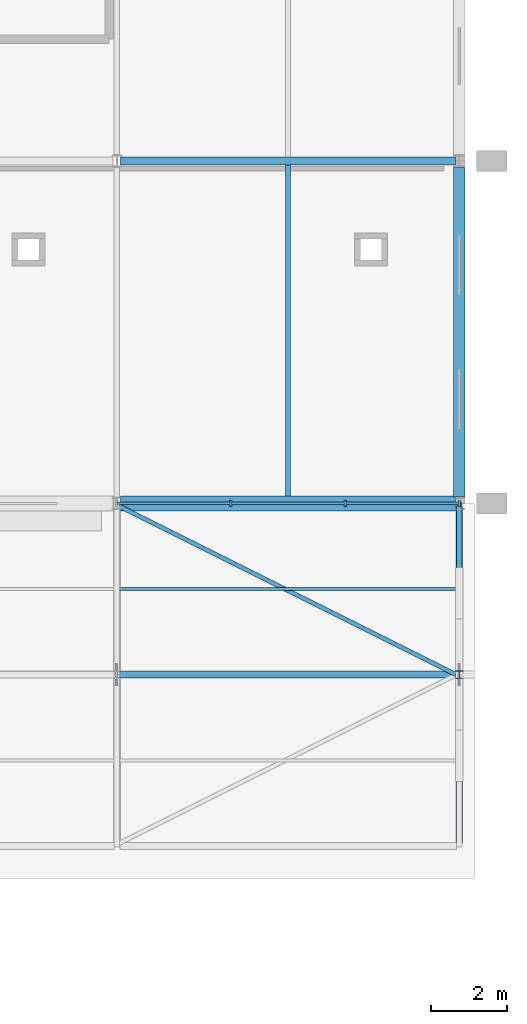
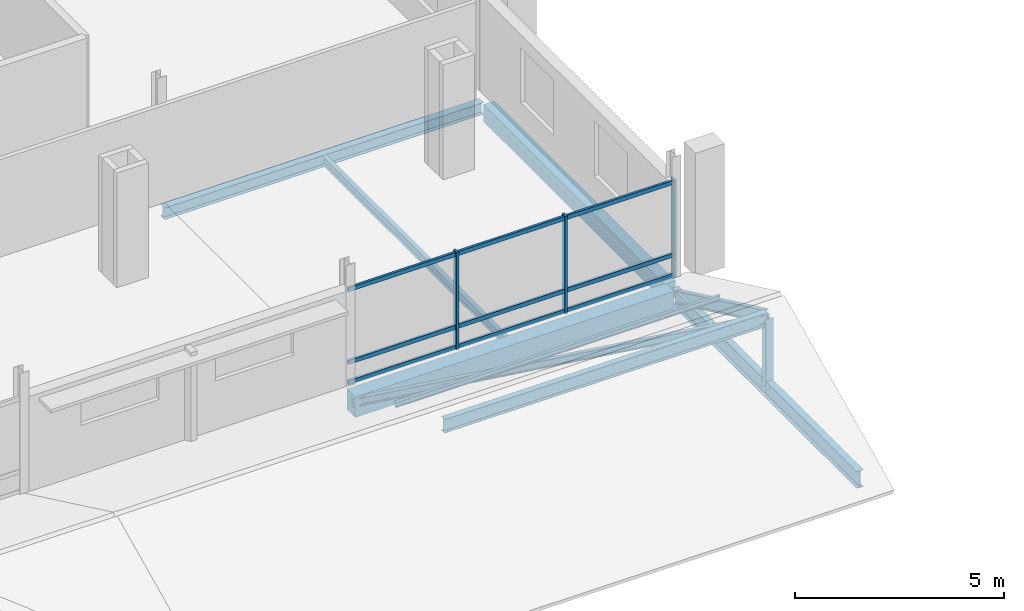
# One storey, part 81 of 132: 17 members, 5 beams, 1 element without a shape of its own.
"""IFC4 building model written with IfcOpenShell, lengths in metres."""

from ifc_helpers import new_model, si_unit, direction, frame, origin, origin_2d, place, context, subcontext, project, spatial, rectangle, i_section, extrude, material, material_profile, profile_set, type_object, element, aggregate, save


model = new_model("IFC4")

# Units and contexts
model_context = context("Model", 3, precision=1e-05, world=origin(), true_north=direction((0.0, 1.0)))
body_context = subcontext(model_context, "Body", "Model", "MODEL_VIEW")
ifc_project = project(units=[si_unit("LENGTHUNIT", "METRE"), si_unit("AREAUNIT", "SQUARE_METRE"), si_unit("VOLUMEUNIT", "CUBIC_METRE"), si_unit("PLANEANGLEUNIT", "RADIAN"), si_unit("MASSUNIT", "GRAM", prefix="KILO")], contexts=[model_context])

# Site, building, storey
site_placement = place(None, origin())
site = spatial("IfcSite", under=ifc_project, at=site_placement, CompositionType="ELEMENT")
building_placement = place(site_placement, origin())
building = spatial("IfcBuilding", under=site, at=building_placement, Name="Tharagai Park Tramway Depot", CompositionType="ELEMENT")
storey_placement = place(building_placement, frame((0.0, 0.0, 4.800048828125)))
storey = spatial("IfcBuildingStorey", under=building, at=storey_placement, Name="L01", CompositionType="ELEMENT", Elevation=4.800048828125)

# Beams
ifc_material_1 = material(Name="Steel E350", Category="steel")
ifc_material_profile_1 = material_profile(ifc_material_1, i_section(OverallWidth=0.199951171875, OverallDepth=0.35009765625, WebThickness=0.008056640625, FlangeThickness=0.011474609375, FilletRadius=0.011962890625, at=origin_2d()), Name="ISWB 350")
ifc_profile_set_1 = profile_set([ifc_material_profile_1], Name="Steel E350")
beam_type_1 = type_object("IfcBeamType", Name="BM-15", PredefinedType="BEAM", material=ifc_profile_set_1)
beam_1_placement = place(storey_placement, frame((207.10009765625, 108.0, -0.455078125), z_axis=(1.0, 0.0, 0.0), x_axis=(0.0, 1.0, 0.0)))
element("IfcBeam", 1, at=beam_1_placement, inside=storey, type_object=beam_type_1, Name="L01 Grid Beam BM-15", PredefinedType="BEAM", context=body_context, shape_type="SweptSolid", body=[
    extrude(i_section(OverallWidth=0.199951171875, OverallDepth=0.35009765625, WebThickness=0.008056640625, FlangeThickness=0.011474609375, FilletRadius=0.011962890625, at=origin_2d()), origin(), (0.0, 0.0, 1.0), 8.7998046875),
])
ifc_material_profile_2 = material_profile(ifc_material_1, i_section(OverallWidth=0.179931640625, OverallDepth=0.5, WebThickness=0.01025390625, FlangeThickness=0.01708984375, FilletRadius=0.01708984375, at=origin_2d()), Name="ISMB 500")
ifc_profile_set_2 = profile_set([ifc_material_profile_2], Name="Steel E350")
beam_type_2 = type_object("IfcBeamType", Name="BM-18", PredefinedType="BEAM", material=ifc_profile_set_2)
beam_2_placement = place(storey_placement, frame((216.0, 90.080078125, -0.5), z_axis=(0.0, 1.0, 0.0), x_axis=(-1.0, 0.0, 0.0)))
element("IfcBeam", 2, at=beam_2_placement, inside=storey, type_object=beam_type_2, Name="V3A Gable Tie Girder BM-18", PredefinedType="BEAM", context=body_context, shape_type="SweptSolid", body=[
    extrude(i_section(OverallWidth=0.179931640625, OverallDepth=0.5, WebThickness=0.01025390625, FlangeThickness=0.01708984375, FilletRadius=0.01708984375, at=origin_2d()), origin(), (0.0, 0.0, 1.0), 8.83984375),
])

# Members
ifc_material_profile_3 = material_profile(ifc_material_1, i_section(OverallWidth=0.110107421875, OverallDepth=0.22509765625, WebThickness=0.006591796875, FlangeThickness=0.01171875, FilletRadius=0.011962890625, at=origin_2d()), Name="ISMB 225")
ifc_profile_set_3 = profile_set([ifc_material_profile_3], Name="Steel E350")
member_type_1 = type_object("IfcMemberType", Name="BR-04", PredefinedType="BRACE", material=ifc_profile_set_3)
member_1_placement = place(storey_placement, frame((207.080078125, 98.919921875, -0.5), z_axis=(0.875948084723, -0.437974042362, 0.202221885777), x_axis=(0.4472135955, 0.894427191, 0.0)))
element("IfcMember", 3, at=member_1_placement, inside=storey, type_object=member_type_1, Name="V3A Roof Wind Brace BR-04", PredefinedType="BRACE", context=body_context, shape_type="SweptSolid", body=[
    extrude(i_section(OverallWidth=0.110107421875, OverallDepth=0.22509765625, WebThickness=0.006591796875, FlangeThickness=0.01171875, FilletRadius=0.011962890625, at=origin_2d()), origin(), (0.0, 0.0, 1.0), 10.091796875),
])
ifc_material_profile_4 = material_profile(ifc_material_1, i_section(OverallWidth=0.199951171875, OverallDepth=0.199951171875, WebThickness=0.0078125, FlangeThickness=0.009033203125, FilletRadius=0.009033203125, at=origin_2d()), Name="ISHB 200")
ifc_profile_set_4 = profile_set([ifc_material_profile_4], Name="Steel E350")
member_type_2 = type_object("IfcMemberType", Name="BR-10", PredefinedType="BRACE", material=ifc_profile_set_4)
member_2_placement = place(storey_placement, frame((216.0, 94.5, -0.5), z_axis=(0.0, 0.0, 1.0), x_axis=(1.0, 0.0, 0.0)))
element("IfcMember", 4, at=member_2_placement, inside=storey, type_object=member_type_2, Name="V3A Gable King Strut BR-10", PredefinedType="BRACE", context=body_context, shape_type="SweptSolid", body=[
    extrude(i_section(OverallWidth=0.199951171875, OverallDepth=0.199951171875, WebThickness=0.0078125, FlangeThickness=0.009033203125, FilletRadius=0.009033203125, at=origin_2d()), origin(), (0.0, 0.0, 1.0), 2.065673828125),
])

# Curtain wall, members
ifc_material_2 = material(Name="Anodised aluminium", Category="aluminium")
curtain_wall_type = type_object("IfcCurtainWallType", Name="CW-01", PredefinedType="NOTDEFINED", material=ifc_material_2)
curtain_wall_placement = place(storey_placement, origin())
curtain_wall = element("IfcCurtainWall", 5, at=curtain_wall_placement, inside=storey, type_object=curtain_wall_type, Name="L01 V3 Gothic Mullioned Curtain Wall CW-01", PredefinedType="NOTDEFINED")
ifc_material_profile_5 = material_profile(ifc_material_2, rectangle(XDim=0.06494140625, YDim=0.1201171875, at=origin_2d()), Name="ALU 65x120")
ifc_profile_set_5 = profile_set([ifc_material_profile_5], Name="Anodised aluminium")
member_type_3 = type_object("IfcMemberType", Name="CM-01", PredefinedType="USERDEFINED", material=ifc_profile_set_5)
member_3_placement = place(storey_placement, frame((207.010986328125, 99.0, 0.06005859375), z_axis=(1.0, 0.0, 0.0), x_axis=(0.0, 1.0, 0.0)))
member_3 = element("IfcMember", 6, at=member_3_placement, type_object=member_type_3, Name="L01 V3 Gothic Mullioned Curtain Wall Transom 1.1", ObjectType="TRANSOM", PredefinedType="USERDEFINED", context=body_context, shape_type="SweptSolid", body=[
    extrude(rectangle(XDim=0.06494140625, YDim=0.1201171875, at=origin_2d()), origin(), (0.0, 0.0, 1.0), 2.97265625),
])
member_4_placement = place(storey_placement, frame((207.010986328125, 99.0, 0.64990234375), z_axis=(1.0, 0.0, 0.0), x_axis=(0.0, 1.0, 0.0)))
member_4 = element("IfcMember", 7, at=member_4_placement, type_object=member_type_3, Name="L01 V3 Gothic Mullioned Curtain Wall Transom 1.2", ObjectType="TRANSOM", PredefinedType="USERDEFINED", context=body_context, shape_type="SweptSolid", body=[
    extrude(rectangle(XDim=0.06494140625, YDim=0.1201171875, at=origin_2d()), origin(), (0.0, 0.0, 1.0), 2.97265625),
])
member_5_placement = place(storey_placement, frame((207.010986328125, 99.0, 2.77001953125), z_axis=(1.0, 0.0, 0.0), x_axis=(0.0, 1.0, 0.0)))
member_5 = element("IfcMember", 8, at=member_5_placement, type_object=member_type_3, Name="L01 V3 Gothic Mullioned Curtain Wall Transom 1.3", ObjectType="TRANSOM", PredefinedType="USERDEFINED", context=body_context, shape_type="SweptSolid", body=[
    extrude(rectangle(XDim=0.06494140625, YDim=0.1201171875, at=origin_2d()), origin(), (0.0, 0.0, 1.0), 2.97265625),
])
member_6_placement = place(storey_placement, frame((210.013671875, 99.0, 0.06005859375), z_axis=(1.0, 0.0, 0.0), x_axis=(0.0, 1.0, 0.0)))
member_6 = element("IfcMember", 9, at=member_6_placement, type_object=member_type_3, Name="L01 V3 Gothic Mullioned Curtain Wall Transom 2.1", ObjectType="TRANSOM", PredefinedType="USERDEFINED", context=body_context, shape_type="SweptSolid", body=[
    extrude(rectangle(XDim=0.06494140625, YDim=0.1201171875, at=origin_2d()), origin(), (0.0, 0.0, 1.0), 2.97265625),
])
member_7_placement = place(storey_placement, frame((210.013671875, 99.0, 0.64990234375), z_axis=(1.0, 0.0, 0.0), x_axis=(0.0, 1.0, 0.0)))
member_7 = element("IfcMember", 10, at=member_7_placement, type_object=member_type_3, Name="L01 V3 Gothic Mullioned Curtain Wall Transom 2.2", ObjectType="TRANSOM", PredefinedType="USERDEFINED", context=body_context, shape_type="SweptSolid", body=[
    extrude(rectangle(XDim=0.06494140625, YDim=0.1201171875, at=origin_2d()), origin(), (0.0, 0.0, 1.0), 2.97265625),
])
member_8_placement = place(storey_placement, frame((210.013671875, 99.0, 2.77001953125), z_axis=(1.0, 0.0, 0.0), x_axis=(0.0, 1.0, 0.0)))
member_8 = element("IfcMember", 11, at=member_8_placement, type_object=member_type_3, Name="L01 V3 Gothic Mullioned Curtain Wall Transom 2.3", ObjectType="TRANSOM", PredefinedType="USERDEFINED", context=body_context, shape_type="SweptSolid", body=[
    extrude(rectangle(XDim=0.06494140625, YDim=0.1201171875, at=origin_2d()), origin(), (0.0, 0.0, 1.0), 2.97265625),
])
member_9_placement = place(storey_placement, frame((213.016357421875, 99.0, 0.06005859375), z_axis=(1.0, 0.0, 0.0), x_axis=(0.0, 1.0, 0.0)))
member_9 = element("IfcMember", 12, at=member_9_placement, type_object=member_type_3, Name="L01 V3 Gothic Mullioned Curtain Wall Transom 3.1", ObjectType="TRANSOM", PredefinedType="USERDEFINED", context=body_context, shape_type="SweptSolid", body=[
    extrude(rectangle(XDim=0.06494140625, YDim=0.1201171875, at=origin_2d()), origin(), (0.0, 0.0, 1.0), 2.97265625),
])
member_10_placement = place(storey_placement, frame((213.016357421875, 99.0, 0.64990234375), z_axis=(1.0, 0.0, 0.0), x_axis=(0.0, 1.0, 0.0)))
member_10 = element("IfcMember", 13, at=member_10_placement, type_object=member_type_3, Name="L01 V3 Gothic Mullioned Curtain Wall Transom 3.2", ObjectType="TRANSOM", PredefinedType="USERDEFINED", context=body_context, shape_type="SweptSolid", body=[
    extrude(rectangle(XDim=0.06494140625, YDim=0.1201171875, at=origin_2d()), origin(), (0.0, 0.0, 1.0), 2.97265625),
])
member_11_placement = place(storey_placement, frame((213.016357421875, 99.0, 2.77001953125), z_axis=(1.0, 0.0, 0.0), x_axis=(0.0, 1.0, 0.0)))
member_11 = element("IfcMember", 14, at=member_11_placement, type_object=member_type_3, Name="L01 V3 Gothic Mullioned Curtain Wall Transom 3.3", ObjectType="TRANSOM", PredefinedType="USERDEFINED", context=body_context, shape_type="SweptSolid", body=[
    extrude(rectangle(XDim=0.06494140625, YDim=0.1201171875, at=origin_2d()), origin(), (0.0, 0.0, 1.0), 2.97265625),
])
ifc_material_profile_6 = material_profile(ifc_material_2, rectangle(XDim=0.06494140625, YDim=0.14990234375, at=origin_2d()), Name="ALU 65x150")
ifc_profile_set_6 = profile_set([ifc_material_profile_6], Name="Anodised aluminium")
member_type_4 = type_object("IfcMemberType", Name="CM-03", PredefinedType="MULLION", material=ifc_profile_set_6)
member_12_placement = place(storey_placement, frame((209.998779296875, 99.0, -0.005126953125), z_axis=(0.0, 0.0, 1.0), x_axis=(1.0, 0.0, 0.0)))
member_12 = element("IfcMember", 15, at=member_12_placement, type_object=member_type_4, Name="L01 V3 Gothic Mullioned Curtain Wall Mullion 2", PredefinedType="MULLION", context=body_context, shape_type="SweptSolid", body=[
    extrude(rectangle(XDim=0.06494140625, YDim=0.14990234375, at=origin_2d()), origin(), (0.0, 0.0, 1.0), 2.860107421875),
])
member_13_placement = place(storey_placement, frame((213.001220703125, 99.0, -0.005126953125), z_axis=(0.0, 0.0, 1.0), x_axis=(1.0, 0.0, 0.0)))
member_13 = element("IfcMember", 16, at=member_13_placement, type_object=member_type_4, Name="L01 V3 Gothic Mullioned Curtain Wall Mullion 3", PredefinedType="MULLION", context=body_context, shape_type="SweptSolid", body=[
    extrude(rectangle(XDim=0.06494140625, YDim=0.14990234375, at=origin_2d()), origin(), (0.0, 0.0, 1.0), 2.860107421875),
])
member_14_placement = place(storey_placement, frame((216.00390625, 99.0, -0.005126953125), z_axis=(0.0, 0.0, 1.0), x_axis=(1.0, 0.0, 0.0)))
member_14 = element("IfcMember", 17, at=member_14_placement, type_object=member_type_4, Name="L01 V3 Gothic Mullioned Curtain Wall Mullion 4", PredefinedType="MULLION", context=body_context, shape_type="SweptSolid", body=[
    extrude(rectangle(XDim=0.06494140625, YDim=0.14990234375, at=origin_2d()), origin(), (0.0, 0.0, 1.0), 2.860107421875),
])
aggregate(curtain_wall, [member_12, member_13, member_14, member_3, member_4, member_5, member_6, member_7, member_8, member_9, member_10, member_11])

# Beam
ifc_material_3 = material(Name="Steel E250", Category="steel")
ifc_material_profile_7 = material_profile(ifc_material_3, i_section(OverallWidth=0.125, OverallDepth=0.25, WebThickness=0.0068359375, FlangeThickness=0.012451171875, FilletRadius=0.012939453125, at=origin_2d()), Name="ISMB 250")
ifc_profile_set_7 = profile_set([ifc_material_profile_7], Name="Steel E250")
beam_type_3 = type_object("IfcBeamType", Name="JT-02", PredefinedType="JOIST", material=ifc_profile_set_7)
beam_3_placement = place(storey_placement, frame((211.5, 99.199951171875, -0.405029296875), z_axis=(0.0, 1.0, 0.0), x_axis=(-1.0, 0.0, 0.0)))
element("IfcBeam", 18, at=beam_3_placement, inside=storey, type_object=beam_type_3, Name="L01 Secondary Joist JT-02", PredefinedType="JOIST", context=body_context, shape_type="SweptSolid", body=[
    extrude(i_section(OverallWidth=0.125, OverallDepth=0.25, WebThickness=0.0068359375, FlangeThickness=0.012451171875, FilletRadius=0.012939453125, at=origin_2d()), origin(), (0.0, 0.0, 1.0), 8.699951171875),
])

# Members
ifc_material_profile_8 = material_profile(ifc_material_3, i_section(OverallWidth=0.080078125, OverallDepth=0.14990234375, WebThickness=0.0048828125, FlangeThickness=0.007568359375, FilletRadius=0.009033203125, at=origin_2d()), Name="ISMB 150")
ifc_profile_set_8 = profile_set([ifc_material_profile_8], Name="Steel E250")
member_type_5 = type_object("IfcMemberType", Name="PR-05", PredefinedType="PURLIN", material=ifc_profile_set_8)
member_15_placement = place(storey_placement, frame((207.02001953125, 96.75, 0.771484375), z_axis=(1.0, 0.0, 0.0), x_axis=(0.0, 1.0, 0.0)))
element("IfcMember", 19, at=member_15_placement, inside=storey, type_object=member_type_5, Name="V3A Roof Purlin PR-05", PredefinedType="PURLIN", context=body_context, shape_type="SweptSolid", body=[
    extrude(i_section(OverallWidth=0.080078125, OverallDepth=0.14990234375, WebThickness=0.0048828125, FlangeThickness=0.007568359375, FilletRadius=0.009033203125, at=origin_2d()), origin(), (0.0, 0.0, 1.0), 8.9599609375),
])
ifc_material_profile_9 = material_profile(ifc_material_1, i_section(OverallWidth=0.139892578125, OverallDepth=0.35009765625, WebThickness=0.008056640625, FlangeThickness=0.01416015625, FilletRadius=0.013916015625, at=origin_2d()), Name="ISMB 350")
ifc_profile_set_9 = profile_set([ifc_material_profile_9], Name="Steel E350")
member_type_6 = type_object("IfcMemberType", Name="RF-01", PredefinedType="RAFTER", material=ifc_profile_set_9)
member_16_placement = place(storey_placement, frame((216.0, 94.5, 1.565673828125), z_axis=(0.0, 0.904482163098, -0.426511449598), x_axis=(-1.0, 0.0, 0.0)))
element("IfcMember", 20, at=member_16_placement, inside=storey, type_object=member_type_6, Name="V3A Pitched Rafter RF-01 North", PredefinedType="RAFTER", context=body_context, shape_type="SweptSolid", body=[
    extrude(i_section(OverallWidth=0.139892578125, OverallDepth=0.35009765625, WebThickness=0.008056640625, FlangeThickness=0.01416015625, FilletRadius=0.013916015625, at=origin_2d()), origin(), (0.0, 0.0, 1.0), 4.919921875),
])

# Beams
ifc_material_4 = material(Name="Concrete M35", Category="concrete")
ifc_material_profile_10 = material_profile(ifc_material_4, rectangle(XDim=0.39990234375, YDim=0.60009765625, at=origin_2d()), Name="RC 400x600")
ifc_profile_set_10 = profile_set([ifc_material_profile_10], Name="Concrete M35")
beam_type_4 = type_object("IfcBeamType", Name="SP-02", PredefinedType="SPANDREL", material=ifc_profile_set_10)
beam_4_placement = place(storey_placement, frame((207.10009765625, 99.0, -0.580078125), z_axis=(1.0, 0.0, 0.0), x_axis=(0.0, 1.0, 0.0)))
element("IfcBeam", 21, at=beam_4_placement, inside=storey, type_object=beam_type_4, Name="L01 Grid Beam SP-02", PredefinedType="SPANDREL", context=body_context, shape_type="SweptSolid", body=[
    extrude(rectangle(XDim=0.39990234375, YDim=0.60009765625, at=origin_2d()), origin(), (0.0, 0.0, 1.0), 8.7998046875),
])
ifc_material_profile_11 = material_profile(ifc_material_4, rectangle(XDim=0.300048828125, YDim=0.5, at=origin_2d()), Name="RC 300x500")
ifc_profile_set_11 = profile_set([ifc_material_profile_11], Name="Concrete M35")
beam_type_5 = type_object("IfcBeamType", Name="SP-03", PredefinedType="SPANDREL", material=ifc_profile_set_11)
beam_5_placement = place(storey_placement, frame((216.0, 99.175048828125, -0.530029296875), z_axis=(0.0, 1.0, 0.0), x_axis=(-1.0, 0.0, 0.0)))
element("IfcBeam", 22, at=beam_5_placement, inside=storey, type_object=beam_type_5, Name="L01 Grid Beam SP-03", PredefinedType="SPANDREL", context=body_context, shape_type="SweptSolid", body=[
    extrude(rectangle(XDim=0.300048828125, YDim=0.5, at=origin_2d()), origin(), (0.0, 0.0, 1.0), 8.64990234375),
])

# Member
ifc_material_profile_12 = material_profile(ifc_material_1, i_section(OverallWidth=0.1650390625, OverallDepth=0.39990234375, WebThickness=0.008056640625, FlangeThickness=0.012451171875, FilletRadius=0.013916015625, at=origin_2d()), Name="ISLB 400")
ifc_profile_set_12 = profile_set([ifc_material_profile_12], Name="Steel E350")
member_type_7 = type_object("IfcMemberType", Name="TC-04", PredefinedType="CHORD", material=ifc_profile_set_12)
member_17_placement = place(storey_placement, frame((207.0400390625, 94.5, 1.540771484375), z_axis=(1.0, 0.0, 0.0), x_axis=(0.0, 1.0, 0.0)))
element("IfcMember", 23, at=member_17_placement, inside=storey, type_object=member_type_7, Name="V3A Roof Ridge Chord TC-04", PredefinedType="CHORD", context=body_context, shape_type="SweptSolid", body=[
    extrude(i_section(OverallWidth=0.1650390625, OverallDepth=0.39990234375, WebThickness=0.008056640625, FlangeThickness=0.012451171875, FilletRadius=0.013916015625, at=origin_2d()), origin(), (0.0, 0.0, 1.0), 8.919921875),
])

save(model, "model.ifc")
